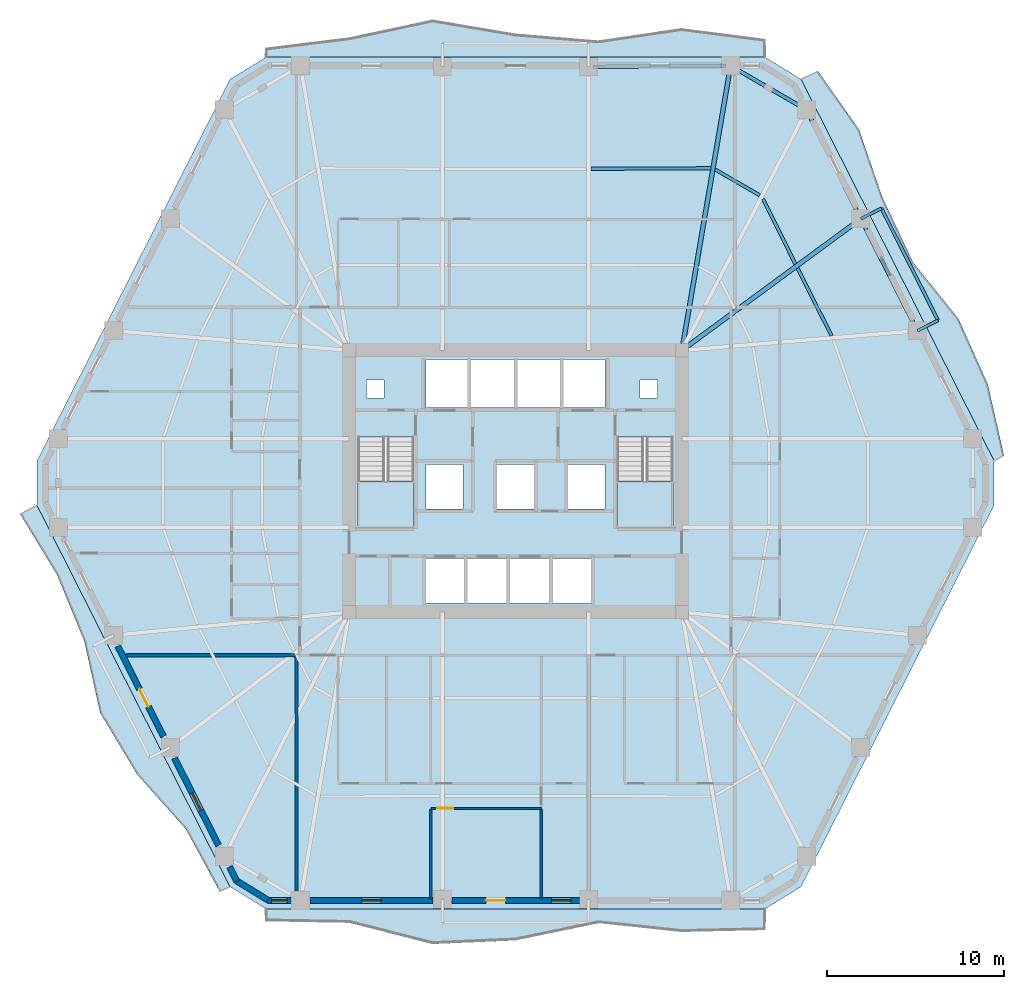
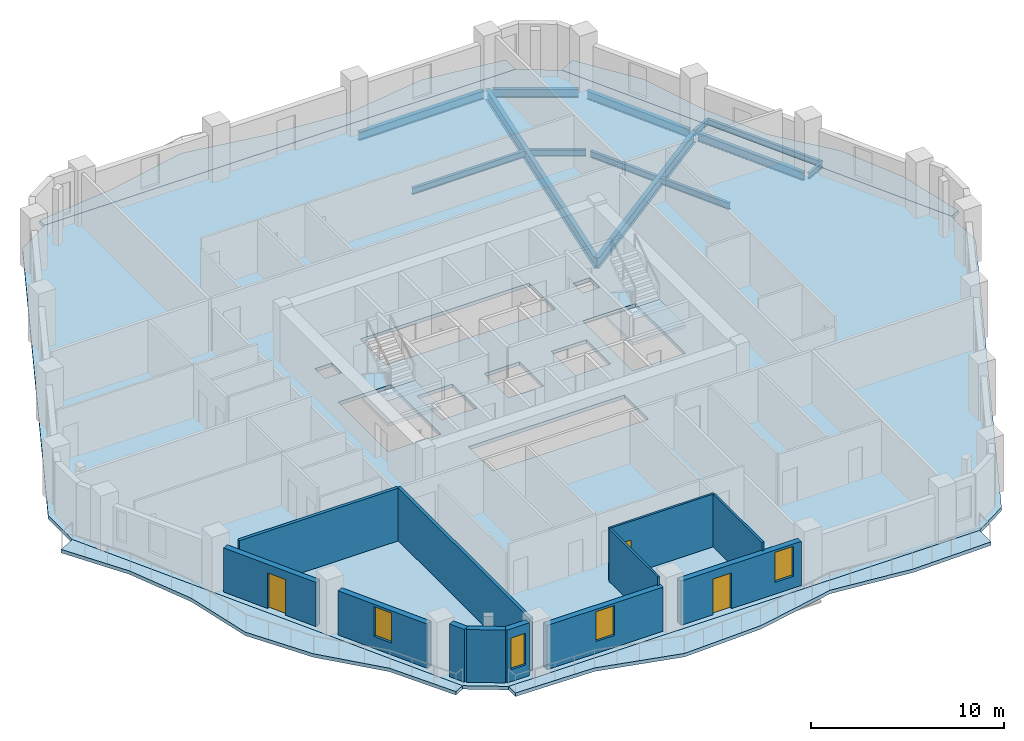
# One storey, part 3 of 10: 13 beams, 12 walls, 7 slabs, 4 windows, 3 doors, 7 openings, 2 elements without a shape of their own.
"""IFC4 building model written with IfcOpenShell, lengths in metres."""

import ifcopenshell
import ifcopenshell.guid

model = None  # the IFC model being written
_history = None  # IfcOwnerHistory: only IFC2X3 demands one
_inside = {}  # id of a spatial element -> (the spatial element, [elements in it])
_under = {}  # id of a project, library or spatial element -> (it, [spatial elements below it])
_declared = {}  # id of a project -> (the project, [libraries it declares])
_typed = {}  # id of a type object -> (the type object, [elements of that type])
_made_of = {}  # id of a material, layer set ... -> (it, [elements and type objects made of it])


def new_model(schema):
    """Start an empty IFC model of exactly this schema.

    Asked for "IFC4X3", IfcOpenShell would pick the latest addendum, in which some entities
    have other attributes; the version numbers below select the first issue.
    IFC2X3 requires an IfcOwnerHistory on every rooted entity: one is made here for all.
    """
    global model, _history
    if schema == "IFC4X3":
        model = ifcopenshell.file(schema_version=(4, 3, 0, 0))
    else:
        model = ifcopenshell.file(schema=schema)
    _inside.clear()
    _under.clear()
    _declared.clear()
    _typed.clear()
    _made_of.clear()
    _history = None
    if model.schema == "IFC2X3":
        org = make("IfcOrganization", Name="unknown")
        user = make(
            "IfcPersonAndOrganization",
            ThePerson=make("IfcPerson", FamilyName="unknown"),
            TheOrganization=org,
        )
        app = make(
            "IfcApplication",
            ApplicationDeveloper=org,
            Version="unknown",
            ApplicationFullName="unknown",
            ApplicationIdentifier="unknown",
        )
        _history = make(
            "IfcOwnerHistory",
            OwningUser=user,
            OwningApplication=app,
            ChangeAction="ADDED",
            CreationDate=0,
        )
    return model


def make(cls, **values):
    """One entity of the class cls with the attributes given. An attribute that is None is left unset."""
    return model.create_entity(
        cls, **{name: value for name, value in values.items() if value is not None}
    )


def rooted(cls, **values):
    """An entity with a GlobalId (a new one), such as an element, a storey or a relation."""
    return make(cls, GlobalId=ifcopenshell.guid.new(), OwnerHistory=_history, **values)


def si_unit(unit_type, name, prefix=None):
    """IfcSIUnit, for example si_unit("LENGTHUNIT", "METRE", prefix="MILLI")."""
    return make("IfcSIUnit", UnitType=unit_type, Prefix=prefix, Name=name)


def assignment(units):
    """IfcUnitAssignment: the units of a project."""
    return None if units is None else make("IfcUnitAssignment", Units=units)


def point(xyz):
    """IfcCartesianPoint."""
    return None if xyz is None else make("IfcCartesianPoint", Coordinates=xyz)


def direction(xyz):
    """IfcDirection."""
    return None if xyz is None else make("IfcDirection", DirectionRatios=xyz)


def frame(location, z_axis=None, x_axis=None):
    """IfcAxis2Placement3D, a coordinate frame: its origin and axes. An axis left out is left unset."""
    return make(
        "IfcAxis2Placement3D",
        Location=point(location),
        Axis=direction(z_axis),
        RefDirection=direction(x_axis),
    )


def frame_2d(location, x_axis=None):
    """IfcAxis2Placement2D, a coordinate frame in the plane: its origin and x axis."""
    return make(
        "IfcAxis2Placement2D", Location=point(location), RefDirection=direction(x_axis)
    )


def origin():
    """The frame at (0, 0, 0) with its axes left unset."""
    return frame((0.0, 0.0, 0.0))


def origin_2d():
    """The frame at (0, 0) in the plane with its x axis left unset."""
    return frame_2d((0.0, 0.0))


def place(relative_to, where):
    """IfcLocalPlacement: puts the frame where relative to a parent placement (None: the world)."""
    return make(
        "IfcLocalPlacement", PlacementRelTo=relative_to, RelativePlacement=where
    )


def context(
    kind, dimensions, precision=None, world=None, true_north=None, identifier=None
):
    """IfcGeometricRepresentationContext, for example the 3D "Model" context."""
    return make(
        "IfcGeometricRepresentationContext",
        ContextIdentifier=identifier,
        ContextType=kind,
        CoordinateSpaceDimension=dimensions,
        Precision=precision,
        WorldCoordinateSystem=world,
        TrueNorth=true_north,
    )


def subcontext(parent, identifier, kind, view, scale=None):
    """IfcGeometricRepresentationSubContext, for example "Body" below "Model"."""
    return make(
        "IfcGeometricRepresentationSubContext",
        ContextIdentifier=identifier,
        ContextType=kind,
        ParentContext=parent,
        TargetScale=scale,
        TargetView=view,
    )


def project(units=None, contexts=None):
    """IfcProject with its units and contexts."""
    return rooted(
        "IfcProject",
        Name="project",
        RepresentationContexts=contexts,
        UnitsInContext=assignment(units),
    )


def spatial(cls, under=None, at=None, **own):
    """A site, building, storey or space (cls), placed at a placement, below another one or the project."""
    s = rooted(cls, ObjectPlacement=at, **own)
    if under is not None:
        _under.setdefault(under.id(), (under, []))[1].append(s)
    return s


def polyline(points):
    """IfcPolyline through the points."""
    return make("IfcPolyline", Points=[point(p) for p in points])


def profile(cls, at=None, kind="AREA", **sizes):
    """A parametric profile (cls). Its sizes go by their IFC names, for example OverallWidth=200.0."""
    return make(cls, ProfileType=kind, Position=at, **sizes)


def rectangle(**sizes):
    """IfcRectangleProfileDef."""
    return profile("IfcRectangleProfileDef", **sizes)


def i_section(**sizes):
    """IfcIShapeProfileDef."""
    return profile("IfcIShapeProfileDef", **sizes)


def outline(outer, holes=None, kind="AREA"):
    """IfcArbitraryClosedProfileDef: a profile drawn as a closed curve; with holes, ...WithVoids."""
    if holes is None:
        return make("IfcArbitraryClosedProfileDef", ProfileType=kind, OuterCurve=outer)
    return make(
        "IfcArbitraryProfileDefWithVoids",
        ProfileType=kind,
        OuterCurve=outer,
        InnerCurves=holes,
    )


def extrude(swept, where, along, depth):
    """IfcExtrudedAreaSolid: the profile swept, set in the frame where, extruded along a direction by depth."""
    return make(
        "IfcExtrudedAreaSolid",
        SweptArea=swept,
        Position=where,
        ExtrudedDirection=direction(along),
        Depth=depth,
    )


def shape(context_of_items, identifier, shape_type, items):
    """IfcShapeRepresentation: the items that make up one representation, for example the "Body"."""
    return make(
        "IfcShapeRepresentation",
        ContextOfItems=context_of_items,
        RepresentationIdentifier=identifier,
        RepresentationType=shape_type,
        Items=items,
    )


def material(Name=None, Category=None):
    """IfcMaterial."""
    return make("IfcMaterial", Name=Name, Category=Category)


def layer(
    of_material, thickness, ventilated=None, Name=None, Category=None, Priority=None
):
    """IfcMaterialLayer: one layer of a wall or slab, of a material (None: an air gap)."""
    return make(
        "IfcMaterialLayer",
        Material=of_material,
        LayerThickness=thickness,
        IsVentilated=ventilated,
        Name=Name,
        Category=Category,
        Priority=Priority,
    )


def layer_set(layers, Name=None):
    """IfcMaterialLayerSet."""
    return make("IfcMaterialLayerSet", MaterialLayers=layers, LayerSetName=Name)


def material_profile(
    of_material, cross_section, Name=None, Category=None, Priority=None
):
    """IfcMaterialProfile: a cross section and its material."""
    return make(
        "IfcMaterialProfile",
        Name=Name,
        Material=of_material,
        Profile=cross_section,
        Priority=Priority,
        Category=Category,
    )


def profile_set(profiles, Name=None, composite=None):
    """IfcMaterialProfileSet."""
    return make(
        "IfcMaterialProfileSet",
        Name=Name,
        MaterialProfiles=profiles,
        CompositeProfile=composite,
    )


def made_of(thing, what):
    """Note that an element or type object is made of a material, layer set ...; save() writes the relation."""
    if what is not None:
        _made_of.setdefault(what.id(), (what, []))[1].append(thing)
    return thing


def type_object(cls, material=None, **own):
    """A type object (cls), such as IfcWallType, which elements share."""
    return made_of(rooted(cls, **own), material)


def element(
    cls,
    number,
    at=None,
    inside=None,
    cuts=None,
    type_object=None,
    material=None,
    context=None,
    identifier="Body",
    shape_type=None,
    held_by="IfcProductDefinitionShape",
    body=None,
    shapes=None,
    **own,
):
    """One element of the class cls, such as IfcWall. Its Tag is "e" and its number.

    at: its placement. inside: the storey or other place that contains it. cuts: it is an
    opening in that element (IfcRelVoidsElement). A single representation is given by context,
    identifier, shape_type and body (its items); several are given by shapes. held_by: the class
    of the entity that holds the representations. save() writes the other relations.
    """
    e = rooted(cls, Tag="e%d" % number, ObjectPlacement=at, **own)
    if body is not None:
        shapes = [shape(context, identifier, shape_type, body)]
    if shapes is not None:
        e.Representation = make(held_by, Representations=shapes)
    if inside is not None:
        _inside.setdefault(inside.id(), (inside, []))[1].append(e)
    if cuts is not None:
        rooted(
            "IfcRelVoidsElement", RelatingBuildingElement=cuts, RelatedOpeningElement=e
        )
    if type_object is not None:
        _typed.setdefault(type_object.id(), (type_object, []))[1].append(e)
    return made_of(e, material)


def fill(opening, filler):
    """IfcRelFillsElement: the door or window that sits in an opening."""
    return rooted(
        "IfcRelFillsElement",
        RelatingOpeningElement=opening,
        RelatedBuildingElement=filler,
    )


def aggregate(whole, parts):
    """IfcRelAggregates: a whole, such as a stair, and the parts it consists of."""
    return rooted("IfcRelAggregates", RelatingObject=whole, RelatedObjects=parts)


def save(model, path):
    """Write the relations noted so far, then the file.

    IfcRelAggregates (storeys below a building ...), IfcRelContainedInSpatialStructure (elements
    in a storey), IfcRelDefinesByType, IfcRelAssociatesMaterial and IfcRelDeclares: one each for
    every whole, place, type object, material and project.
    """
    for whole, parts in _under.values():
        aggregate(whole, parts)
    for where, things in _inside.values():
        rooted(
            "IfcRelContainedInSpatialStructure",
            RelatedElements=things,
            RelatingStructure=where,
        )
    for kind, things in _typed.values():
        rooted("IfcRelDefinesByType", RelatedObjects=things, RelatingType=kind)
    for what, things in _made_of.values():
        rooted("IfcRelAssociatesMaterial", RelatedObjects=things, RelatingMaterial=what)
    for by, libraries in _declared.values():
        rooted("IfcRelDeclares", RelatingContext=by, RelatedDefinitions=libraries)
    model.write(path)


model = new_model("IFC4")

# Units and contexts
model_context = context("Model", 3, precision=1e-05, world=origin(), true_north=direction((0.0, 1.0)))
body_context = subcontext(model_context, "Body", "Model", "MODEL_VIEW")
ifc_project = project(units=[si_unit("LENGTHUNIT", "METRE"), si_unit("AREAUNIT", "SQUARE_METRE"), si_unit("VOLUMEUNIT", "CUBIC_METRE"), si_unit("PLANEANGLEUNIT", "RADIAN"), si_unit("MASSUNIT", "GRAM", prefix="KILO")], contexts=[model_context])

# Site, building, storey
site_placement = place(None, origin())
site = spatial("IfcSite", under=ifc_project, at=site_placement, CompositionType="ELEMENT")
building_placement = place(site_placement, origin())
building = spatial("IfcBuilding", under=site, at=building_placement, Name="Cinnabar Lancet Tower", CompositionType="ELEMENT")
storey_placement = place(building_placement, frame((0.0, 0.0, 87.10009765625)))
storey = spatial("IfcBuildingStorey", under=building, at=storey_placement, Name="L22", CompositionType="ELEMENT", Elevation=87.10009765625)

# Beams
ifc_material_1 = material(Name="Structural steel S355", Category="steel")
ifc_material_profile_1 = material_profile(ifc_material_1, i_section(OverallWidth=0.177978515625, OverallDepth=0.406494140625, WebThickness=0.0078125, FlangeThickness=0.0126953125, FilletRadius=0.01025390625, at=origin_2d()), Name="UKB 406x178x60")
ifc_profile_set_1 = profile_set([ifc_material_profile_1], Name="Structural steel S355")
beam_type_1 = type_object("IfcBeamType", Name="STR-BM-JST-406", PredefinedType="JOIST", material=ifc_profile_set_1)
beam_1_placement = place(storey_placement, frame((50.20703125, 34.10400390625, -0.423095703125), z_axis=(-0.450763900798, 0.892643213012, 0.0), x_axis=(-0.892643213012, -0.450763900798, 0.0)))
element("IfcBeam", 1, at=beam_1_placement, inside=storey, type_object=beam_type_1, Name="L22 Secondary Floor Joist 27", PredefinedType="JOIST", context=body_context, shape_type="SweptSolid", body=[
    extrude(i_section(OverallWidth=0.177978515625, OverallDepth=0.406494140625, WebThickness=0.0078125, FlangeThickness=0.0126953125, FilletRadius=0.01025390625, at=origin_2d()), origin(), (0.0, 0.0, 1.0), 4.25927734375),
])
beam_2_placement = place(storey_placement, frame((48.1708984375, 38.135986328125, -0.423095703125), z_axis=(-0.445617778616, 0.895223321513, 0.0), x_axis=(-0.895223321513, -0.445617778616, 0.0)))
element("IfcBeam", 2, at=beam_2_placement, inside=storey, type_object=beam_type_1, Name="L22 Secondary Floor Joist 29", PredefinedType="JOIST", context=body_context, shape_type="SweptSolid", body=[
    extrude(i_section(OverallWidth=0.177978515625, OverallDepth=0.406494140625, WebThickness=0.0078125, FlangeThickness=0.0126953125, FilletRadius=0.01025390625, at=origin_2d()), origin(), (0.0, 0.0, 1.0), 4.101806640625),
])
beam_3_placement = place(storey_placement, frame((46.1630859375, 42.011962890625, -0.423095703125), z_axis=(-0.865230791262, 0.501373790551, 0.0), x_axis=(-0.501373790551, -0.865230791262, 0.0)))
element("IfcBeam", 3, at=beam_3_placement, inside=storey, type_object=beam_type_1, Name="L22 Secondary Floor Joist 31", PredefinedType="JOIST", context=body_context, shape_type="SweptSolid", body=[
    extrude(i_section(OverallWidth=0.177978515625, OverallDepth=0.406494140625, WebThickness=0.0078125, FlangeThickness=0.0126953125, FilletRadius=0.01025390625, at=origin_2d()), origin(), (0.0, 0.0, 1.0), 2.907958984375),
])
beam_4_placement = place(storey_placement, frame((43.40087890625, 43.537109375, -0.423095703125), z_axis=(-0.99998860979, -0.004772870136, 0.0), x_axis=(0.004772870136, -0.99998860979, 0.0)))
element("IfcBeam", 4, at=beam_4_placement, inside=storey, type_object=beam_type_1, Name="L22 Secondary Floor Joist 33", PredefinedType="JOIST", context=body_context, shape_type="SweptSolid", body=[
    extrude(i_section(OverallWidth=0.177978515625, OverallDepth=0.406494140625, WebThickness=0.0078125, FlangeThickness=0.0126953125, FilletRadius=0.01025390625, at=origin_2d()), origin(), (0.0, 0.0, 1.0), 6.751953125),
])
ifc_material_2 = material(Name="Structural steel S355", Category="steel")
ifc_material_profile_2 = material_profile(ifc_material_2, i_section(OverallWidth=0.209228515625, OverallDepth=0.533203125, WebThickness=0.010009765625, FlangeThickness=0.015625, FilletRadius=0.0126953125, at=origin_2d()), Name="UKB 533x210x92")
ifc_profile_set_2 = profile_set([ifc_material_profile_2], Name="Structural steel S355")
beam_type_2 = type_object("IfcBeamType", Name="STR-BM-SPN-533", PredefinedType="SPANDREL", material=ifc_profile_set_2)
beam_5_placement = place(storey_placement, frame((54.93310546875, 34.60302734375, -0.487060546875), z_axis=(-0.450703143926, 0.892673891214, 0.0), x_axis=(-0.892673891214, -0.450703143926, 0.0)))
element("IfcBeam", 5, at=beam_5_placement, inside=storey, type_object=beam_type_2, Name="L22 Perimeter Spandrel 10", PredefinedType="SPANDREL", context=body_context, shape_type="SweptSolid", body=[
    extrude(i_section(OverallWidth=0.209228515625, OverallDepth=0.533203125, WebThickness=0.010009765625, FlangeThickness=0.015625, FilletRadius=0.0126953125, at=origin_2d()), origin(), (0.0, 0.0, 1.0), 6.570068359375),
])
beam_6_placement = place(storey_placement, frame((51.748046875, 40.9150390625, -0.487060546875), z_axis=(-0.445953050023, 0.89505635419, 0.0), x_axis=(-0.89505635419, -0.445953050023, 0.0)))
element("IfcBeam", 6, at=beam_6_placement, inside=storey, type_object=beam_type_2, Name="L22 Perimeter Spandrel 11", PredefinedType="SPANDREL", context=body_context, shape_type="SweptSolid", body=[
    extrude(i_section(OverallWidth=0.209228515625, OverallDepth=0.533203125, WebThickness=0.010009765625, FlangeThickness=0.015625, FilletRadius=0.0126953125, at=origin_2d()), origin(), (0.0, 0.0, 1.0), 6.35498046875),
])
beam_7_placement = place(storey_placement, frame((48.5869140625, 46.951904296875, -0.487060546875), z_axis=(-0.865147238596, 0.501517951374, 0.0), x_axis=(-0.501517951374, -0.865147238596, 0.0)))
element("IfcBeam", 7, at=beam_7_placement, inside=storey, type_object=beam_type_2, Name="L22 Perimeter Spandrel 12", PredefinedType="SPANDREL", context=body_context, shape_type="SweptSolid", body=[
    extrude(i_section(OverallWidth=0.209228515625, OverallDepth=0.533203125, WebThickness=0.010009765625, FlangeThickness=0.015625, FilletRadius=0.0126953125, at=origin_2d()), origin(), (0.0, 0.0, 1.0), 4.454833984375),
])
beam_8_placement = place(storey_placement, frame((44.26708984375, 49.30908203125, -0.487060546875), z_axis=(-0.99997856757, -0.006547090947, 0.0), x_axis=(0.006547090947, -0.99997856757, 0.0)))
element("IfcBeam", 8, at=beam_8_placement, inside=storey, type_object=beam_type_2, Name="L22 Perimeter Spandrel 13", PredefinedType="SPANDREL", context=body_context, shape_type="SweptSolid", body=[
    extrude(i_section(OverallWidth=0.209228515625, OverallDepth=0.533203125, WebThickness=0.010009765625, FlangeThickness=0.015625, FilletRadius=0.0126953125, at=origin_2d()), origin(), (0.0, 0.0, 1.0), 7.495361328125),
])
ifc_material_3 = material(Name="Structural steel S355", Category="steel")
ifc_material_profile_3 = material_profile(ifc_material_3, i_section(OverallWidth=0.253662109375, OverallDepth=0.68359375, WebThickness=0.012451171875, FlangeThickness=0.01904296875, FilletRadius=0.01513671875, at=origin_2d()), Name="UKB 686x254x140")
ifc_profile_set_3 = profile_set([ifc_material_profile_3], Name="Structural steel S355")
beam_type_3 = type_object("IfcBeamType", Name="STR-BM-UKB686-140", PredefinedType="BEAM", material=ifc_profile_set_3)
beam_9_placement = place(storey_placement, frame((51.85888671875, 40.69091796875, -0.56201171875), z_axis=(-0.805600633978, -0.592458959367, 0.0), x_axis=(0.592458959367, -0.805600633978, 0.0)))
element("IfcBeam", 9, at=beam_9_placement, inside=storey, type_object=beam_type_3, Name="L22 Corner Collector Girder 3", PredefinedType="BEAM", context=body_context, shape_type="SweptSolid", body=[
    extrude(i_section(OverallWidth=0.253662109375, OverallDepth=0.68359375, WebThickness=0.012451171875, FlangeThickness=0.01904296875, FilletRadius=0.01513671875, at=origin_2d()), origin(), (0.0, 0.0, 1.0), 12.517333984375),
])
beam_10_placement = place(storey_placement, frame((44.51708984375, 49.31103515625, -0.56201171875), z_axis=(-0.168553945835, -0.985692430398, 0.0), x_axis=(0.985692430398, -0.168553945835, 0.0)))
element("IfcBeam", 10, at=beam_10_placement, inside=storey, type_object=beam_type_3, Name="L22 Primary Floor Girder 13", PredefinedType="BEAM", context=body_context, shape_type="SweptSolid", body=[
    extrude(i_section(OverallWidth=0.253662109375, OverallDepth=0.68359375, WebThickness=0.012451171875, FlangeThickness=0.01904296875, FilletRadius=0.01513671875, at=origin_2d()), origin(), (0.0, 0.0, 1.0), 16.268798828125),
])
ifc_material_4 = material(Name="Structural steel S355", Category="steel")
ifc_material_profile_4 = material_profile(ifc_material_4, i_section(OverallWidth=0.17138671875, OverallDepth=0.35498046875, WebThickness=0.00732421875, FlangeThickness=0.011474609375, FilletRadius=0.01025390625, at=origin_2d()), Name="UKB 356x171x51")
ifc_profile_set_4 = profile_set([ifc_material_profile_4], Name="Structural steel S355")
beam_type_4 = type_object("IfcBeamType", Name="STR-BM-WAV-OUT", PredefinedType="BEAM", material=ifc_profile_set_4)
for number, where, z_axis, x_axis, name in (
    (11, (55.0458984375, 34.3798828125, -0.397216796875), (0.892238560088, 0.451564338597, 0.0), (-0.451564338597, 0.892238560088, 0.0), "L22 Face 3 Balcony Outlooker A"),
    (12, (51.85888671875, 40.69091796875, -0.397216796875), (0.892238560088, 0.451564338597, 0.0), (-0.451564338597, 0.892238560088, 0.0), "L22 Face 3 Balcony Outlooker B"),
):
    element("IfcBeam", number, at=place(storey_placement, frame(where, z_axis=z_axis, x_axis=x_axis)), inside=storey, type_object=beam_type_4, Name=name, PredefinedType="BEAM", context=body_context, shape_type="SweptSolid", body=[
        extrude(i_section(OverallWidth=0.17138671875, OverallDepth=0.35498046875, WebThickness=0.00732421875, FlangeThickness=0.011474609375, FilletRadius=0.01025390625, at=origin_2d()), origin(), (0.0, 0.0, 1.0), 1.30029296875),
    ])
ifc_material_5 = material(Name="Structural steel S355", Category="steel")
ifc_material_profile_5 = material_profile(ifc_material_5, i_section(OverallWidth=0.17138671875, OverallDepth=0.35498046875, WebThickness=0.00732421875, FlangeThickness=0.011474609375, FilletRadius=0.01025390625, at=origin_2d()), Name="UKB 356x171x51")
ifc_profile_set_5 = profile_set([ifc_material_profile_5], Name="Structural steel S355")
beam_type_5 = type_object("IfcBeamType", Name="STR-BM-WAV-TRIM", PredefinedType="SPANDREL", material=ifc_profile_set_5)
beam_11_placement = place(storey_placement, frame((56.2060546875, 34.967041015625, -0.397216796875), z_axis=(-0.450773692627, 0.892638268301, 0.0), x_axis=(-0.892638268301, -0.450773692627, 0.0)))
element("IfcBeam", 13, at=beam_11_placement, inside=storey, type_object=beam_type_5, Name="L22 Face 3 Balcony Edge Trimmer", PredefinedType="SPANDREL", context=body_context, shape_type="SweptSolid", body=[
    extrude(i_section(OverallWidth=0.17138671875, OverallDepth=0.35498046875, WebThickness=0.00732421875, FlangeThickness=0.011474609375, FilletRadius=0.01025390625, at=origin_2d()), origin(), (0.0, 0.0, 1.0), 7.070068359375),
])

# Stair, slab
ifc_material_6 = material(Name="Concrete C40/50", Category="concrete")
stair_type = type_object("IfcStairType", Name="ST-CORE", PredefinedType="HALF_TURN_STAIR", material=ifc_material_6)
stair_1_placement = place(storey_placement, origin())
stair_1 = element("IfcStair", 14, at=stair_1_placement, inside=storey, type_object=stair_type, Name="L22 ST-1", PredefinedType="HALF_TURN_STAIR")
ifc_material_7 = material(Name="Concrete C40/50", Category="concrete")
ifc_layer_1 = layer(ifc_material_7, 0.199951171875)
ifc_layer_set_1 = layer_set([ifc_layer_1], Name="Concrete C40/50")
slab_type_1 = type_object("IfcSlabType", Name="LANDING-CORE", PredefinedType="LANDING", material=ifc_layer_set_1)
slab_1_placement = place(storey_placement, frame((0.0, 0.0, 1.574951171875)))
slab_1 = element("IfcSlab", 15, at=slab_1_placement, type_object=slab_type_1, Name="ST-1 landing 1", PredefinedType="LANDING", context=body_context, shape_type="SweptSolid", body=[
    extrude(outline(polyline([(23.52490234375, 25.925048828125), (23.52490234375, 23.25), (26.675048828125, 23.25), (26.675048828125, 25.925048828125), (23.52490234375, 25.925048828125)])), origin(), (0.0, 0.0, 1.0), 0.199951171875),
])
aggregate(stair_1, [slab_1])

stair_2_placement = place(storey_placement, origin())
stair_2 = element("IfcStair", 16, at=stair_2_placement, inside=storey, type_object=stair_type, Name="L22 ST-2", PredefinedType="HALF_TURN_STAIR")
slab_2_placement = place(storey_placement, frame((0.0, 0.0, 1.574951171875)))
slab_2 = element("IfcSlab", 17, at=slab_2_placement, type_object=slab_type_1, Name="ST-2 landing 1", PredefinedType="LANDING", context=body_context, shape_type="SweptSolid", body=[
    extrude(outline(polyline([(38.125, 25.925048828125), (38.125, 23.25), (41.27490234375, 23.25), (41.27490234375, 25.925048828125), (38.125, 25.925048828125)])), origin(), (0.0, 0.0, 1.0), 0.199951171875),
])
aggregate(stair_2, [slab_2])

# Slabs
ifc_material_8 = material(Name="Concrete C40/50", Category="concrete")
ifc_layer_2 = layer(ifc_material_8, 0.219970703125)
ifc_layer_set_2 = layer_set([ifc_layer_2], Name="Concrete C40/50")
slab_type_2 = type_object("IfcSlabType", Name="STR-SLB-FLR-220", PredefinedType="FLOOR", material=ifc_layer_set_2)
slab_3_placement = place(storey_placement, frame((0.0, 0.0, -0.22021484375)))
element("IfcSlab", 18, at=slab_3_placement, inside=storey, type_object=slab_type_2, Name="L22 Structural Floor Slab", PredefinedType="FLOOR", context=body_context, shape_type="SweptSolid", body=[
    extrude(outline(polyline([(16.31201171875, 3.049072265625), (18.343994140625, 1.800048828125), (46.4560546875, 1.800048828125), (48.488037109375, 3.049072265625), (59.367919921875, 24.551025390625), (59.367919921875, 27.049072265625), (48.488037109375, 48.551025390625), (46.4560546875, 49.800048828125), (18.343994140625, 49.800048828125), (16.31201171875, 48.551025390625), (5.431884765625, 27.049072265625), (5.431884765625, 24.551025390625), (16.31201171875, 3.049072265625)]), holes=[polyline([(23.52490234375, 23.25), (26.675048828125, 23.25), (26.675048828125, 28.3994140625), (23.52490234375, 28.3994140625), (23.52490234375, 23.25)]), polyline([(38.125, 23.25), (41.27490234375, 23.25), (41.27490234375, 28.3994140625), (38.125, 28.3994140625), (38.125, 23.25)]), polyline([(27.35009765625, 30.050048828125), (37.449951171875, 30.050048828125), (37.449951171875, 32.75), (27.35009765625, 32.75), (27.35009765625, 30.050048828125)]), polyline([(27.35009765625, 19.050048828125), (36.64990234375, 19.050048828125), (36.64990234375, 21.550048828125), (27.35009765625, 21.550048828125), (27.35009765625, 19.050048828125)]), polyline([(27.35009765625, 24.35009765625), (29.449951171875, 24.35009765625), (29.449951171875, 26.85009765625), (27.35009765625, 26.85009765625), (27.35009765625, 24.35009765625)]), polyline([(35.35009765625, 24.35009765625), (37.449951171875, 24.35009765625), (37.449951171875, 26.85009765625), (35.35009765625, 26.85009765625), (35.35009765625, 24.35009765625)]), polyline([(31.35009765625, 24.35009765625), (33.449951171875, 24.35009765625), (33.449951171875, 26.85009765625), (31.35009765625, 26.85009765625), (31.35009765625, 24.35009765625)]), polyline([(24.0, 30.60009765625), (25.0, 30.60009765625), (25.0, 31.60009765625), (24.0, 31.60009765625), (24.0, 30.60009765625)]), polyline([(39.39990234375, 30.60009765625), (40.39990234375, 30.60009765625), (40.39990234375, 31.60009765625), (39.39990234375, 31.60009765625), (39.39990234375, 30.60009765625)])]), origin(), (0.0, 0.0, 1.0), 0.22021484375),
])
ifc_material_9 = material(Name="Concrete C45/55", Category="concrete")
ifc_layer_3 = layer(ifc_material_9, 0.219970703125)
ifc_layer_set_3 = layer_set([ifc_layer_3], Name="Concrete C45/55")
slab_type_3 = type_object("IfcSlabType", Name="STR-SLB-WAV-220", PredefinedType="FLOOR", material=ifc_layer_set_3)
slab_4_placement = place(storey_placement, frame((0.0, 0.0, -0.22021484375)))
element("IfcSlab", 19, at=slab_4_placement, inside=storey, type_object=slab_type_3, Name="L22 Face 1 Undulating Wave Balcony Slab", PredefinedType="FLOOR", context=body_context, shape_type="SweptSolid", body=[
    extrude(outline(polyline([(18.343994140625, 1.800048828125), (18.343994140625, 1.10791015625), (23.029052734375, 1.02001953125), (27.715087890625, -0.175048828125), (32.39990234375, 0.029052734375), (37.0849609375, 0.9990234375), (41.77099609375, 0.5048828125), (46.4560546875, 0.614990234375), (46.4560546875, 1.800048828125), (18.343994140625, 1.800048828125)])), origin(), (0.0, 0.0, 1.0), 0.22021484375),
])
slab_5_placement = place(storey_placement, frame((0.0, 0.0, -0.22021484375)))
element("IfcSlab", 20, at=slab_5_placement, inside=storey, type_object=slab_type_3, Name="L22 Face 3 Undulating Wave Balcony Slab", PredefinedType="FLOOR", context=body_context, shape_type="SweptSolid", body=[
    extrude(outline(polyline([(59.367919921875, 27.049072265625), (59.924072265625, 27.3310546875), (59.006103515625, 31.366943359375), (57.364990234375, 35.0380859375), (54.797119140625, 38.239990234375), (53.077880859375, 41.87109375), (51.759033203125, 45.705078125), (49.430908203125, 49.028076171875), (48.488037109375, 48.551025390625), (59.367919921875, 27.049072265625)])), origin(), (0.0, 0.0, 1.0), 0.22021484375),
])
slab_6_placement = place(storey_placement, frame((0.0, 0.0, -0.22021484375)))
element("IfcSlab", 21, at=slab_6_placement, inside=storey, type_object=slab_type_3, Name="L22 Face 4 Undulating Wave Balcony Slab", PredefinedType="FLOOR", context=body_context, shape_type="SweptSolid", body=[
    extrude(outline(polyline([(46.4560546875, 49.800048828125), (46.4560546875, 50.800048828125), (41.77099609375, 51.405029296875), (37.0849609375, 50.717041015625), (32.39990234375, 51.10595703125), (27.715087890625, 51.89111328125), (23.029052734375, 50.889892578125), (18.343994140625, 50.306884765625), (18.343994140625, 49.800048828125), (46.4560546875, 49.800048828125)])), origin(), (0.0, 0.0, 1.0), 0.22021484375),
])
slab_7_placement = place(storey_placement, frame((0.0, 0.0, -0.22021484375)))
element("IfcSlab", 22, at=slab_7_placement, inside=storey, type_object=slab_type_3, Name="L22 Face 6 Undulating Wave Balcony Slab", PredefinedType="FLOOR", context=body_context, shape_type="SweptSolid", body=[
    extrude(outline(polyline([(5.431884765625, 24.551025390625), (4.47802734375, 24.068115234375), (6.568115234375, 20.625), (8.10205078125, 16.89990234375), (8.9951171875, 12.85009765625), (11.068115234375, 9.39794921875), (13.8291015625, 6.2939453125), (15.7451171875, 2.761962890625), (16.31201171875, 3.049072265625), (5.431884765625, 24.551025390625)])), origin(), (0.0, 0.0, 1.0), 0.22021484375),
])

# Walls
ifc_material_10 = material(Name="Fire-rated twin-frame acoustic drywall", Category="gypsum")
ifc_layer_4 = layer(ifc_material_10, 0.179931640625)
ifc_layer_set_4 = layer_set([ifc_layer_4], Name="Fire-rated twin-frame acoustic drywall")
wall_type_1 = type_object("IfcWallType", Name="ARC-WL-PARTY-180", PredefinedType="PARTITIONING", material=ifc_layer_set_4)
wall_1_placement = place(storey_placement, frame((20.050048828125, 2.455078125, 0.0), z_axis=(0.0, 0.0, 1.0), x_axis=(0.0, 1.0, 0.0)))
element("IfcWall", 23, at=wall_1_placement, inside=storey, type_object=wall_type_1, Name="PW-L22-SPTY-200", PredefinedType="PARTITIONING", context=body_context, shape_type="SweptSolid", body=[
    extrude(rectangle(XDim=13.64501953125, YDim=0.179931640625, at=frame_2d((6.822509765625, 0.0))), origin(), (0.0, 0.0, 1.0), 3.329833984375),
])
wall_2_placement = place(storey_placement, frame((10.488037109375, 16.10009765625, 0.0), z_axis=(0.0, 0.0, 1.0), x_axis=(1.0, 0.0, 0.0)))
element("IfcWall", 24, at=wall_2_placement, inside=storey, type_object=wall_type_1, Name="PW-L22-WSB", PredefinedType="PARTITIONING", context=body_context, shape_type="SweptSolid", body=[
    extrude(rectangle(XDim=9.467041015625, YDim=0.179931640625, at=frame_2d((4.7333984375, 0.0))), origin(), (0.0, 0.0, 1.0), 3.329833984375),
])
ifc_material_11 = material(Name="Gypsum plasterboard stud partition", Category="gypsum")
ifc_layer_5 = layer(ifc_material_11, 0.125)
ifc_layer_set_5 = layer_set([ifc_layer_5], Name="Gypsum plasterboard stud partition")
wall_type_2 = type_object("IfcWallType", Name="ARC-WL-UNIT-125", PredefinedType="PARTITIONING", material=ifc_layer_set_5)
wall_3_placement = place(storey_placement, frame((27.626953125, 2.364990234375, 0.0), z_axis=(0.0, 0.0, 1.0), x_axis=(0.0, 1.0, 0.0)))
element("IfcWall", 25, at=wall_3_placement, inside=storey, type_object=wall_type_2, Name="UW-L22-S01-BD2W", PredefinedType="PARTITIONING", context=body_context, shape_type="SweptSolid", body=[
    extrude(rectangle(XDim=5.0380859375, YDim=0.125, at=frame_2d((2.51904296875, 0.0))), origin(), (0.0, 0.0, 1.0), 3.329833984375),
])

# Wall, opening, door
wall_4_placement = place(storey_placement, frame((27.626953125, 7.468017578125, 0.0), z_axis=(0.0, 0.0, 1.0), x_axis=(1.0, 0.0, 0.0)))
wall_4 = element("IfcWall", 26, at=wall_4_placement, inside=storey, type_object=wall_type_2, Name="UW-L22-S01-HLN", PredefinedType="PARTITIONING", context=body_context, shape_type="SweptSolid", body=[
    extrude(rectangle(XDim=6.22314453125, YDim=0.125, at=frame_2d((3.111572265625, 0.0))), origin(), (0.0, 0.0, 1.0), 3.329833984375),
])
opening_1_placement = place(wall_4_placement, frame((0.35009765625, 0.0, 0.0)))
opening_1 = element("IfcOpeningElement", 27, at=opening_1_placement, cuts=wall_4, Name="Opening RD-01", PredefinedType="OPENING", context=body_context, shape_type="SweptSolid", body=[
    extrude(rectangle(XDim=0.919921875, YDim=2.14990234375, at=frame_2d((0.4599609375, 1.074951171875))), frame((0.0, 0.072509765625, 0.0), z_axis=(0.0, -1.0, 0.0), x_axis=(1.0, 0.0, 0.0)), (0.0, 0.0, 1.0), 0.14501953125),
])
ifc_material_12 = material(Name="Engineered timber bedroom door", Category="wood")
door_type_1 = type_object("IfcDoorType", Name="ARC-DR-ROOM", OperationType="NOTDEFINED", PredefinedType="DOOR", material=ifc_material_12)
door_1_placement = place(opening_1_placement, origin())
door_1 = element("IfcDoor", 28, at=door_1_placement, inside=storey, type_object=door_type_1, Name="DR-L22-S01-BD2", OperationType="SINGLE_SWING_RIGHT", OverallHeight=2.14990234375, OverallWidth=0.919921875, PredefinedType="DOOR", context=body_context, shape_type="SweptSolid", body=[
    extrude(rectangle(XDim=0.919921875, YDim=2.14990234375, at=frame_2d((0.4599609375, 1.074951171875))), frame((0.0, 0.02490234375, 0.0), z_axis=(0.0, -1.0, 0.0), x_axis=(1.0, 0.0, 0.0)), (0.0, 0.0, 1.0), 0.050048828125),
])
fill(opening_1, door_1)

# Walls
wall_5_placement = place(storey_placement, frame((33.85009765625, 2.364990234375, 0.0), z_axis=(0.0, 0.0, 1.0), x_axis=(0.0, 1.0, 0.0)))
element("IfcWall", 29, at=wall_5_placement, inside=storey, type_object=wall_type_2, Name="UW-L22-S01-MB2W", PredefinedType="PARTITIONING", context=body_context, shape_type="SweptSolid", body=[
    extrude(rectangle(XDim=5.0380859375, YDim=0.125, at=frame_2d((2.51904296875, 0.0))), origin(), (0.0, 0.0, 1.0), 3.329833984375),
])
ifc_material_13 = material(Name="Cinnabar red clay brick", Category="masonry")
ifc_layer_6 = layer(ifc_material_13, 0.340087890625)
ifc_layer_set_6 = layer_set([ifc_layer_6], Name="Cinnabar red clay brick")
wall_type_3 = type_object("IfcWallType", Name="ENV-WL-BRK-RED-340", PredefinedType="STANDARD", material=ifc_layer_set_6)
wall_6_placement = place(storey_placement, frame((16.719970703125, 3.362060546875, 0.0), z_axis=(0.0, 0.0, 1.0), x_axis=(0.851816122478, -0.523840904748, 0.0)))
element("IfcWall", 30, at=wall_6_placement, inside=storey, type_object=wall_type_3, Name="L22 Chamfered Corner Brick Pier 1.1", PredefinedType="STANDARD", context=body_context, shape_type="SweptSolid", body=[
    extrude(rectangle(XDim=2.01806640625, YDim=0.340087890625, at=frame_2d((1.009033203125, 0.0))), origin(), (0.0, 0.0, 1.0), 3.329833984375),
])

# Wall, opening, window
wall_7_placement = place(storey_placement, frame((18.43408203125, 2.280029296875, 0.0), z_axis=(0.0, 0.0, 1.0), x_axis=(1.0, 0.0, 0.0)))
wall_7 = element("IfcWall", 31, at=wall_7_placement, inside=storey, type_object=wall_type_3, Name="L22 Face 1 Masonry Bay Wall 1", PredefinedType="STANDARD", context=body_context, shape_type="SweptSolid", body=[
    extrude(rectangle(XDim=1.31982421875, YDim=0.340087890625, at=frame_2d((0.659912109375, 0.0))), origin(), (0.0, 0.0, 1.0), 3.329833984375),
])
opening_2_placement = place(wall_7_placement, frame((0.219970703125, 0.0, 0.75)))
opening_2 = element("IfcOpeningElement", 32, at=opening_2_placement, cuts=wall_7, Name="Opening WN-04", PredefinedType="OPENING", context=body_context, shape_type="SweptSolid", body=[
    extrude(rectangle(XDim=0.8798828125, YDim=2.0, at=frame_2d((0.43994140625, 1.0))), frame((0.0, 0.179931640625, 0.0), z_axis=(0.0, -1.0, 0.0), x_axis=(1.0, 0.0, 0.0)), (0.0, 0.0, 1.0), 0.360107421875),
])
ifc_material_14 = material(Name="Thermally broken bronze-anodized aluminium tall lancet window", Category="aluminium")
window_type = type_object("IfcWindowType", Name="ENV-WN-LANCET-1100", PartitioningType="SINGLE_PANEL", PredefinedType="WINDOW", material=ifc_material_14)
window_1_placement = place(opening_2_placement, origin())
window_1 = element("IfcWindow", 33, at=window_1_placement, inside=storey, type_object=window_type, Name="L22 Split-Bay Gothic Lancet Window 66", OverallHeight=2.0, OverallWidth=0.8798828125, PartitioningType="SINGLE_PANEL", PredefinedType="WINDOW", context=body_context, shape_type="SweptSolid", body=[
    extrude(rectangle(XDim=0.8798828125, YDim=2.0, at=frame_2d((0.43994140625, 1.0))), frame((0.0, 0.030029296875, 0.0), z_axis=(0.0, -1.0, 0.0), x_axis=(1.0, 0.0, 0.0)), (0.0, 0.0, 1.0), 0.06005859375),
])
fill(opening_2, window_1)

wall_8_placement = place(storey_placement, frame((20.81201171875, 2.280029296875, 0.0), z_axis=(0.0, 0.0, 1.0), x_axis=(1.0, 0.0, 0.0)))
wall_8 = element("IfcWall", 34, at=wall_8_placement, inside=storey, type_object=wall_type_3, Name="L22 Face 1 Masonry Bay Wall 2", PredefinedType="STANDARD", context=body_context, shape_type="SweptSolid", body=[
    extrude(rectangle(XDim=6.93701171875, YDim=0.340087890625, at=frame_2d((3.468505859375, 0.0))), origin(), (0.0, 0.0, 1.0), 2.786865234375),
])
opening_3_placement = place(wall_8_placement, frame((2.91796875, 0.0, 0.75)))
opening_3 = element("IfcOpeningElement", 35, at=opening_3_placement, cuts=wall_8, Name="Opening WN-04", PredefinedType="OPENING", context=body_context, shape_type="SweptSolid", body=[
    extrude(rectangle(XDim=1.10009765625, YDim=1.886962890625, at=frame_2d((0.550048828125, 0.943359375))), frame((0.0, 0.179931640625, 0.0), z_axis=(0.0, -1.0, 0.0), x_axis=(1.0, 0.0, 0.0)), (0.0, 0.0, 1.0), 0.360107421875),
])
window_2_placement = place(opening_3_placement, origin())
window_2 = element("IfcWindow", 36, at=window_2_placement, inside=storey, type_object=window_type, Name="L22 Face 1 Gothic Lancet Window 2", OverallHeight=1.886962890625, OverallWidth=1.10009765625, PartitioningType="SINGLE_PANEL", PredefinedType="WINDOW", context=body_context, shape_type="SweptSolid", body=[
    extrude(rectangle(XDim=1.10009765625, YDim=1.886962890625, at=frame_2d((0.550048828125, 0.943359375))), frame((0.0, 0.030029296875, 0.0), z_axis=(0.0, -1.0, 0.0), x_axis=(1.0, 0.0, 0.0)), (0.0, 0.0, 1.0), 0.06005859375),
])
fill(opening_3, window_2)

# Wall, openings, door, window
wall_9_placement = place(storey_placement, frame((28.806884765625, 2.280029296875, 0.0), z_axis=(0.0, 0.0, 1.0), x_axis=(1.0, 0.0, 0.0)))
wall_9 = element("IfcWall", 37, at=wall_9_placement, inside=storey, type_object=wall_type_3, Name="L22 Face 1 Masonry Bay Wall 3", PredefinedType="STANDARD", context=body_context, shape_type="SweptSolid", body=[
    extrude(rectangle(XDim=7.18603515625, YDim=0.340087890625, at=frame_2d((3.593017578125, 0.0))), origin(), (0.0, 0.0, 1.0), 2.786865234375),
])
opening_4_placement = place(wall_9_placement, frame((1.919921875, 0.0, 0.0)))
opening_4 = element("IfcOpeningElement", 38, at=opening_4_placement, cuts=wall_9, Name="Opening TD-01", PredefinedType="OPENING", context=body_context, shape_type="SweptSolid", body=[
    extrude(rectangle(XDim=1.10009765625, YDim=2.25, at=frame_2d((0.550048828125, 1.125))), frame((0.0, 0.179931640625, 0.0), z_axis=(0.0, -1.0, 0.0), x_axis=(1.0, 0.0, 0.0)), (0.0, 0.0, 1.0), 0.360107421875),
])
opening_5_placement = place(wall_9_placement, frame((5.62109375, 0.0, 0.75)))
opening_5 = element("IfcOpeningElement", 39, at=opening_5_placement, cuts=wall_9, Name="Opening WN-04", PredefinedType="OPENING", context=body_context, shape_type="SweptSolid", body=[
    extrude(rectangle(XDim=1.10009765625, YDim=1.886962890625, at=frame_2d((0.550048828125, 0.943359375))), frame((0.0, 0.179931640625, 0.0), z_axis=(0.0, -1.0, 0.0), x_axis=(1.0, 0.0, 0.0)), (0.0, 0.0, 1.0), 0.360107421875),
])
ifc_material_15 = material(Name="Thermally broken low-E glazed balcony terrace door", Category="wood")
door_type_2 = type_object("IfcDoorType", Name="ARC-DR-BALC", OperationType="NOTDEFINED", PredefinedType="DOOR", material=ifc_material_15)
door_2_placement = place(opening_4_placement, origin())
door_2 = element("IfcDoor", 40, at=door_2_placement, inside=storey, type_object=door_type_2, Name="L22 Face 1 Glazed Terrace Door", OperationType="SINGLE_SWING_RIGHT", OverallHeight=2.25, OverallWidth=1.10009765625, PredefinedType="DOOR", context=body_context, shape_type="SweptSolid", body=[
    extrude(rectangle(XDim=1.10009765625, YDim=2.25, at=frame_2d((0.550048828125, 1.125))), frame((0.0, 0.02490234375, 0.0), z_axis=(0.0, -1.0, 0.0), x_axis=(1.0, 0.0, 0.0)), (0.0, 0.0, 1.0), 0.050048828125),
])
fill(opening_4, door_2)
window_3_placement = place(opening_5_placement, origin())
window_3 = element("IfcWindow", 41, at=window_3_placement, inside=storey, type_object=window_type, Name="L22 Split-Bay Gothic Lancet Window 67", OverallHeight=1.886962890625, OverallWidth=1.10009765625, PartitioningType="SINGLE_PANEL", PredefinedType="WINDOW", context=body_context, shape_type="SweptSolid", body=[
    extrude(rectangle(XDim=1.10009765625, YDim=1.886962890625, at=frame_2d((0.550048828125, 0.943359375))), frame((0.0, 0.030029296875, 0.0), z_axis=(0.0, -1.0, 0.0), x_axis=(1.0, 0.0, 0.0)), (0.0, 0.0, 1.0), 0.06005859375),
])
fill(opening_5, window_3)

# Wall, opening, door
wall_10_placement = place(storey_placement, frame((9.986083984375, 16.614013671875, 0.0), z_axis=(0.0, 0.0, 1.0), x_axis=(0.45158267371, -0.892229280401, 0.0)))
wall_10 = element("IfcWall", 42, at=wall_10_placement, inside=storey, type_object=wall_type_3, Name="L22 Face 6 Masonry Bay Wall 3", PredefinedType="STANDARD", context=body_context, shape_type="SweptSolid", body=[
    extrude(rectangle(XDim=5.715087890625, YDim=0.340087890625, at=frame_2d((2.857421875, 0.0))), origin(), (0.0, 0.0, 1.0), 2.786865234375),
])
opening_6_placement = place(wall_10_placement, frame((2.720947265625, 0.0, 0.0)))
opening_6 = element("IfcOpeningElement", 43, at=opening_6_placement, cuts=wall_10, Name="Opening TD-01", PredefinedType="OPENING", context=body_context, shape_type="SweptSolid", body=[
    extrude(rectangle(XDim=1.10009765625, YDim=2.25, at=frame_2d((0.550048828125, 1.125))), frame((0.0, 0.179931640625, 0.0), z_axis=(0.0, -1.0, 0.0), x_axis=(1.0, 0.0, 0.0)), (0.0, 0.0, 1.0), 0.360107421875),
])
door_3_placement = place(opening_6_placement, origin())
door_3 = element("IfcDoor", 44, at=door_3_placement, inside=storey, type_object=door_type_2, Name="L22 Face 6 Glazed Terrace Door", OperationType="SINGLE_SWING_LEFT", OverallHeight=2.25, OverallWidth=1.10009765625, PredefinedType="DOOR", context=body_context, shape_type="SweptSolid", body=[
    extrude(rectangle(XDim=1.10009765625, YDim=2.25, at=frame_2d((0.550048828125, 1.125))), frame((0.0, 0.02490234375, 0.0), z_axis=(0.0, -1.0, 0.0), x_axis=(1.0, 0.0, 0.0)), (0.0, 0.0, 1.0), 0.050048828125),
])
fill(opening_6, door_3)

# Wall, opening, window
wall_11_placement = place(storey_placement, frame((13.178955078125, 10.302978515625, 0.0), z_axis=(0.0, 0.0, 1.0), x_axis=(0.451719795315, -0.892159866011, 0.0)))
wall_11 = element("IfcWall", 45, at=wall_11_placement, inside=storey, type_object=wall_type_3, Name="L22 Face 6 Masonry Bay Wall 4", PredefinedType="STANDARD", context=body_context, shape_type="SweptSolid", body=[
    extrude(rectangle(XDim=5.519287109375, YDim=0.340087890625, at=frame_2d((2.759765625, 0.0))), origin(), (0.0, 0.0, 1.0), 2.786865234375),
])
opening_7_placement = place(wall_11_placement, frame((2.2099609375, 0.0, 0.75)))
opening_7 = element("IfcOpeningElement", 46, at=opening_7_placement, cuts=wall_11, Name="Opening WN-04", PredefinedType="OPENING", context=body_context, shape_type="SweptSolid", body=[
    extrude(rectangle(XDim=1.10009765625, YDim=1.886962890625, at=frame_2d((0.550048828125, 0.943359375))), frame((0.0, 0.179931640625, 0.0), z_axis=(0.0, -1.0, 0.0), x_axis=(1.0, 0.0, 0.0)), (0.0, 0.0, 1.0), 0.360107421875),
])
window_4_placement = place(opening_7_placement, origin())
window_4 = element("IfcWindow", 47, at=window_4_placement, inside=storey, type_object=window_type, Name="L22 Face 6 Gothic Lancet Window 4", OverallHeight=1.886962890625, OverallWidth=1.10009765625, PartitioningType="SINGLE_PANEL", PredefinedType="WINDOW", context=body_context, shape_type="SweptSolid", body=[
    extrude(rectangle(XDim=1.10009765625, YDim=1.886962890625, at=frame_2d((0.550048828125, 0.943359375))), frame((0.0, 0.030029296875, 0.0), z_axis=(0.0, -1.0, 0.0), x_axis=(1.0, 0.0, 0.0)), (0.0, 0.0, 1.0), 0.06005859375),
])
fill(opening_7, window_4)

# Wall
wall_12_placement = place(storey_placement, frame((16.283935546875, 4.1669921875, 0.0), z_axis=(0.0, 0.0, 1.0), x_axis=(0.451981678291, -0.892027220711, 0.0)))
element("IfcWall", 48, at=wall_12_placement, inside=storey, type_object=wall_type_3, Name="L22 Face 6 Masonry Bay Wall 5", PredefinedType="STANDARD", context=body_context, shape_type="SweptSolid", body=[
    extrude(rectangle(XDim=0.92041015625, YDim=0.340087890625, at=frame_2d((0.460205078125, 0.0))), origin(), (0.0, 0.0, 1.0), 3.329833984375),
])

save(model, "model.ifc")
